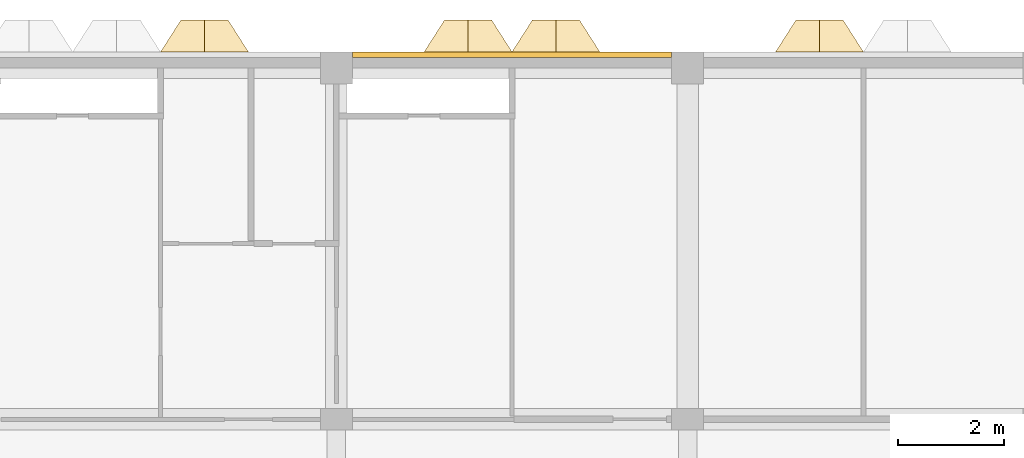
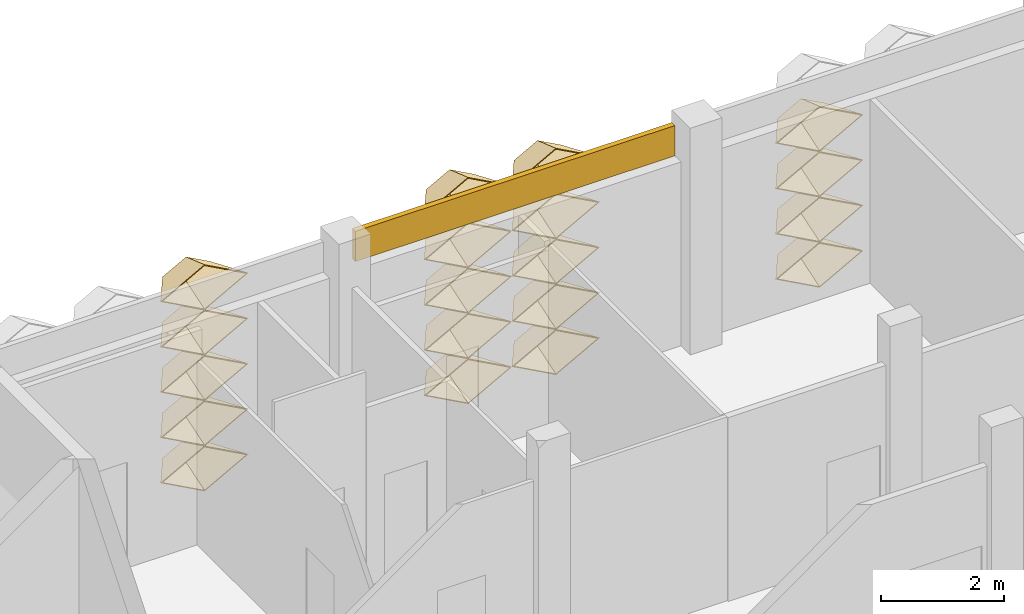
# One storey, part 93 of 102: 20 coverings.
"""IFC4 building model written with IfcOpenShell, lengths in metres."""

from ifc_helpers import new_model, entity, si_unit, direction, frame, frame_2d, origin, place, context, subcontext, project, spatial, rectangle, extrude, material, layer, layer_set, type_object, element, save


model = new_model("IFC4")

# Units and contexts
model_context = context("Model", 3, precision=1e-05, world=origin(), true_north=direction((0.0, 1.0)))
body_context = subcontext(model_context, "Body", "Model", "MODEL_VIEW")
ifc_project = project(units=[si_unit("LENGTHUNIT", "METRE"), si_unit("AREAUNIT", "SQUARE_METRE"), si_unit("VOLUMEUNIT", "CUBIC_METRE"), si_unit("PLANEANGLEUNIT", "RADIAN"), si_unit("MASSUNIT", "GRAM", prefix="KILO")], contexts=[model_context])

# Site, building, storey
site_placement = place(None, origin())
site = spatial("IfcSite", under=ifc_project, at=site_placement, CompositionType="ELEMENT")
building_placement = place(site_placement, origin())
building = spatial("IfcBuilding", under=site, at=building_placement, Name="Lantern Court Research Institute", CompositionType="ELEMENT")
storey_placement = place(building_placement, frame((0.0, 0.0, 9.89990234375)))
storey = spatial("IfcBuildingStorey", under=building, at=storey_placement, Name="L02", CompositionType="ELEMENT", Elevation=9.89990234375)

# Coverings
ifc_material_1 = material(Name="Aluminium composite panel with mineral wool insulation", Category="aluminium")
ifc_layer_1 = layer(ifc_material_1, 0.10009765625)
ifc_layer_set_1 = layer_set([ifc_layer_1], Name="Aluminium composite panel with mineral wool insulation")
covering_type_1 = type_object("IfcCoveringType", Name="Edge fascia panel 100 aluminium faced", PredefinedType="CLADDING", material=ifc_layer_set_1)
covering_1_placement = place(storey_placement, frame((13.5, 99.25, 3.650146484375), z_axis=(0.0, 0.0, 1.0), x_axis=(1.0, 0.0, 0.0)))
element("IfcCovering", 1, at=covering_1_placement, inside=storey, type_object=covering_type_1, Name="Edge fascia V6N L02 02", PredefinedType="CLADDING", context=body_context, shape_type="SweptSolid", body=[
    extrude(rectangle(XDim=6.0, YDim=0.10009765625, at=frame_2d((3.0, 0.0))), origin(), (0.0, 0.0, 1.0), 0.599853515625),
])
ifc_material_2 = material(Name="Anodised aluminium", Category="aluminium")
ifc_layer_2 = layer(ifc_material_2, 0.01611328125)
ifc_layer_set_2 = layer_set([ifc_layer_2], Name="Anodised aluminium")
covering_type_2 = type_object("IfcCoveringType", Name="Fin cassette 1650 x 900 x 600 aluminium", PredefinedType="CLADDING", material=ifc_layer_set_2)
covering_2_placement = place(storey_placement, frame((10.72509765625, 99.300048828125, 0.4501953125), z_axis=(0.0, 1.0, 0.0), x_axis=(-1.0, 0.0, 0.0)))
cartesian_point_1 = entity("IfcCartesianPoint", [0.824951171875, 0.0])
cartesian_point_2 = entity("IfcCartesianPoint", [0.79150390625, 0.0])
cartesian_point_3 = entity("IfcCartesianPoint", [0.44189453125, 0.0])
cartesian_point_4 = entity("IfcCartesianPoint", [0.43359375, 0.0])
element("IfcCovering", 2, at=covering_2_placement, inside=storey, type_object=covering_type_2, Name="Fin cassette V6N-L02 1.7", PredefinedType="CLADDING", context=body_context, shape_type="SweptSolid", body=[
    entity("IfcExtrudedAreaSolidTapered", entity("IfcArbitraryProfileDefWithVoids", "AREA", None, entity("IfcPolyline", [cartesian_point_1, entity("IfcCartesianPoint", [0.0, 0.449951171875]), entity("IfcCartesianPoint", [-0.824951171875, 0.0]), entity("IfcCartesianPoint", [0.0, -0.449951171875]), cartesian_point_1]), [entity("IfcPolyline", [cartesian_point_2, entity("IfcCartesianPoint", [0.0, 0.431884765625]), entity("IfcCartesianPoint", [-0.79150390625, 0.0]), entity("IfcCartesianPoint", [0.0, -0.431884765625]), cartesian_point_2])]), entity("IfcAxis2Placement3D", entity("IfcCartesianPoint", [0.0, 0.0, 0.0])), entity("IfcDirection", [0.0, 0.0, 1.0]), 0.60009765625, entity("IfcArbitraryProfileDefWithVoids", "AREA", None, entity("IfcPolyline", [cartesian_point_3, entity("IfcCartesianPoint", [0.0, 0.240966796875]), entity("IfcCartesianPoint", [-0.44189453125, 0.0]), entity("IfcCartesianPoint", [0.0, -0.240966796875]), cartesian_point_3]), [entity("IfcPolyline", [cartesian_point_4, entity("IfcCartesianPoint", [0.0, 0.236572265625]), entity("IfcCartesianPoint", [-0.43359375, 0.0]), entity("IfcCartesianPoint", [0.0, -0.236572265625]), cartesian_point_4])])),
])
covering_3_placement = place(storey_placement, frame((15.675048828125, 99.300048828125, 0.4501953125), z_axis=(0.0, 1.0, 0.0), x_axis=(-1.0, 0.0, 0.0)))
cartesian_point_5 = entity("IfcCartesianPoint", [0.824951171875, 0.0])
cartesian_point_6 = entity("IfcCartesianPoint", [0.79150390625, 0.0])
cartesian_point_7 = entity("IfcCartesianPoint", [0.44189453125, 0.0])
cartesian_point_8 = entity("IfcCartesianPoint", [0.43359375, 0.0])
element("IfcCovering", 3, at=covering_3_placement, inside=storey, type_object=covering_type_2, Name="Fin cassette V6N-L02 1.10", PredefinedType="CLADDING", context=body_context, shape_type="SweptSolid", body=[
    entity("IfcExtrudedAreaSolidTapered", entity("IfcArbitraryProfileDefWithVoids", "AREA", None, entity("IfcPolyline", [cartesian_point_5, entity("IfcCartesianPoint", [0.0, 0.449951171875]), entity("IfcCartesianPoint", [-0.824951171875, 0.0]), entity("IfcCartesianPoint", [0.0, -0.449951171875]), cartesian_point_5]), [entity("IfcPolyline", [cartesian_point_6, entity("IfcCartesianPoint", [0.0, 0.431884765625]), entity("IfcCartesianPoint", [-0.79150390625, 0.0]), entity("IfcCartesianPoint", [0.0, -0.431884765625]), cartesian_point_6])]), entity("IfcAxis2Placement3D", entity("IfcCartesianPoint", [0.0, 0.0, 0.0])), entity("IfcDirection", [0.0, 0.0, 1.0]), 0.60009765625, entity("IfcArbitraryProfileDefWithVoids", "AREA", None, entity("IfcPolyline", [cartesian_point_7, entity("IfcCartesianPoint", [0.0, 0.240966796875]), entity("IfcCartesianPoint", [-0.44189453125, 0.0]), entity("IfcCartesianPoint", [0.0, -0.240966796875]), cartesian_point_7]), [entity("IfcPolyline", [cartesian_point_8, entity("IfcCartesianPoint", [0.0, 0.236572265625]), entity("IfcCartesianPoint", [-0.43359375, 0.0]), entity("IfcCartesianPoint", [0.0, -0.236572265625]), cartesian_point_8])])),
])
covering_4_placement = place(storey_placement, frame((17.324951171875, 99.300048828125, 0.4501953125), z_axis=(0.0, 1.0, 0.0), x_axis=(-1.0, 0.0, 0.0)))
cartesian_point_9 = entity("IfcCartesianPoint", [0.824951171875, 0.0])
cartesian_point_10 = entity("IfcCartesianPoint", [0.79150390625, 0.0])
cartesian_point_11 = entity("IfcCartesianPoint", [0.44189453125, 0.0])
cartesian_point_12 = entity("IfcCartesianPoint", [0.43359375, 0.0])
element("IfcCovering", 4, at=covering_4_placement, inside=storey, type_object=covering_type_2, Name="Fin cassette V6N-L02 1.11", PredefinedType="CLADDING", context=body_context, shape_type="SweptSolid", body=[
    entity("IfcExtrudedAreaSolidTapered", entity("IfcArbitraryProfileDefWithVoids", "AREA", None, entity("IfcPolyline", [cartesian_point_9, entity("IfcCartesianPoint", [0.0, 0.449951171875]), entity("IfcCartesianPoint", [-0.824951171875, 0.0]), entity("IfcCartesianPoint", [0.0, -0.449951171875]), cartesian_point_9]), [entity("IfcPolyline", [cartesian_point_10, entity("IfcCartesianPoint", [0.0, 0.431884765625]), entity("IfcCartesianPoint", [-0.79150390625, 0.0]), entity("IfcCartesianPoint", [0.0, -0.431884765625]), cartesian_point_10])]), entity("IfcAxis2Placement3D", entity("IfcCartesianPoint", [0.0, 0.0, 0.0])), entity("IfcDirection", [0.0, 0.0, 1.0]), 0.60009765625, entity("IfcArbitraryProfileDefWithVoids", "AREA", None, entity("IfcPolyline", [cartesian_point_11, entity("IfcCartesianPoint", [0.0, 0.240966796875]), entity("IfcCartesianPoint", [-0.44189453125, 0.0]), entity("IfcCartesianPoint", [0.0, -0.240966796875]), cartesian_point_11]), [entity("IfcPolyline", [cartesian_point_12, entity("IfcCartesianPoint", [0.0, 0.236572265625]), entity("IfcCartesianPoint", [-0.43359375, 0.0]), entity("IfcCartesianPoint", [0.0, -0.236572265625]), cartesian_point_12])])),
])
covering_5_placement = place(storey_placement, frame((22.27490234375, 99.300048828125, 0.4501953125), z_axis=(0.0, 1.0, 0.0), x_axis=(-1.0, 0.0, 0.0)))
cartesian_point_13 = entity("IfcCartesianPoint", [0.824951171875, 0.0])
cartesian_point_14 = entity("IfcCartesianPoint", [0.79150390625, 0.0])
cartesian_point_15 = entity("IfcCartesianPoint", [0.44189453125, 0.0])
cartesian_point_16 = entity("IfcCartesianPoint", [0.43359375, 0.0])
element("IfcCovering", 5, at=covering_5_placement, inside=storey, type_object=covering_type_2, Name="Fin cassette V6N-L02 1.14", PredefinedType="CLADDING", context=body_context, shape_type="SweptSolid", body=[
    entity("IfcExtrudedAreaSolidTapered", entity("IfcArbitraryProfileDefWithVoids", "AREA", None, entity("IfcPolyline", [cartesian_point_13, entity("IfcCartesianPoint", [0.0, 0.449951171875]), entity("IfcCartesianPoint", [-0.824951171875, 0.0]), entity("IfcCartesianPoint", [0.0, -0.449951171875]), cartesian_point_13]), [entity("IfcPolyline", [cartesian_point_14, entity("IfcCartesianPoint", [0.0, 0.431884765625]), entity("IfcCartesianPoint", [-0.79150390625, 0.0]), entity("IfcCartesianPoint", [0.0, -0.431884765625]), cartesian_point_14])]), entity("IfcAxis2Placement3D", entity("IfcCartesianPoint", [0.0, 0.0, 0.0])), entity("IfcDirection", [0.0, 0.0, 1.0]), 0.60009765625, entity("IfcArbitraryProfileDefWithVoids", "AREA", None, entity("IfcPolyline", [cartesian_point_15, entity("IfcCartesianPoint", [0.0, 0.240966796875]), entity("IfcCartesianPoint", [-0.44189453125, 0.0]), entity("IfcCartesianPoint", [0.0, -0.240966796875]), cartesian_point_15]), [entity("IfcPolyline", [cartesian_point_16, entity("IfcCartesianPoint", [0.0, 0.236572265625]), entity("IfcCartesianPoint", [-0.43359375, 0.0]), entity("IfcCartesianPoint", [0.0, -0.236572265625]), cartesian_point_16])])),
])
covering_6_placement = place(storey_placement, frame((10.72509765625, 99.300048828125, 1.35009765625), z_axis=(0.0, 1.0, 0.0), x_axis=(-1.0, 0.0, 0.0)))
cartesian_point_17 = entity("IfcCartesianPoint", [0.824951171875, 0.0])
cartesian_point_18 = entity("IfcCartesianPoint", [0.79150390625, 0.0])
cartesian_point_19 = entity("IfcCartesianPoint", [0.44189453125, 0.0])
cartesian_point_20 = entity("IfcCartesianPoint", [0.43359375, 0.0])
element("IfcCovering", 6, at=covering_6_placement, inside=storey, type_object=covering_type_2, Name="Fin cassette V6N-L02 2.7", PredefinedType="CLADDING", context=body_context, shape_type="SweptSolid", body=[
    entity("IfcExtrudedAreaSolidTapered", entity("IfcArbitraryProfileDefWithVoids", "AREA", None, entity("IfcPolyline", [cartesian_point_17, entity("IfcCartesianPoint", [0.0, 0.449951171875]), entity("IfcCartesianPoint", [-0.824951171875, 0.0]), entity("IfcCartesianPoint", [0.0, -0.449951171875]), cartesian_point_17]), [entity("IfcPolyline", [cartesian_point_18, entity("IfcCartesianPoint", [0.0, 0.431884765625]), entity("IfcCartesianPoint", [-0.79150390625, 0.0]), entity("IfcCartesianPoint", [0.0, -0.431884765625]), cartesian_point_18])]), entity("IfcAxis2Placement3D", entity("IfcCartesianPoint", [0.0, 0.0, 0.0])), entity("IfcDirection", [0.0, 0.0, 1.0]), 0.60009765625, entity("IfcArbitraryProfileDefWithVoids", "AREA", None, entity("IfcPolyline", [cartesian_point_19, entity("IfcCartesianPoint", [0.0, 0.240966796875]), entity("IfcCartesianPoint", [-0.44189453125, 0.0]), entity("IfcCartesianPoint", [0.0, -0.240966796875]), cartesian_point_19]), [entity("IfcPolyline", [cartesian_point_20, entity("IfcCartesianPoint", [0.0, 0.236572265625]), entity("IfcCartesianPoint", [-0.43359375, 0.0]), entity("IfcCartesianPoint", [0.0, -0.236572265625]), cartesian_point_20])])),
])
covering_7_placement = place(storey_placement, frame((15.675048828125, 99.300048828125, 1.35009765625), z_axis=(0.0, 1.0, 0.0), x_axis=(-1.0, 0.0, 0.0)))
cartesian_point_21 = entity("IfcCartesianPoint", [0.824951171875, 0.0])
cartesian_point_22 = entity("IfcCartesianPoint", [0.79150390625, 0.0])
cartesian_point_23 = entity("IfcCartesianPoint", [0.44189453125, 0.0])
cartesian_point_24 = entity("IfcCartesianPoint", [0.43359375, 0.0])
element("IfcCovering", 7, at=covering_7_placement, inside=storey, type_object=covering_type_2, Name="Fin cassette V6N-L02 2.10", PredefinedType="CLADDING", context=body_context, shape_type="SweptSolid", body=[
    entity("IfcExtrudedAreaSolidTapered", entity("IfcArbitraryProfileDefWithVoids", "AREA", None, entity("IfcPolyline", [cartesian_point_21, entity("IfcCartesianPoint", [0.0, 0.449951171875]), entity("IfcCartesianPoint", [-0.824951171875, 0.0]), entity("IfcCartesianPoint", [0.0, -0.449951171875]), cartesian_point_21]), [entity("IfcPolyline", [cartesian_point_22, entity("IfcCartesianPoint", [0.0, 0.431884765625]), entity("IfcCartesianPoint", [-0.79150390625, 0.0]), entity("IfcCartesianPoint", [0.0, -0.431884765625]), cartesian_point_22])]), entity("IfcAxis2Placement3D", entity("IfcCartesianPoint", [0.0, 0.0, 0.0])), entity("IfcDirection", [0.0, 0.0, 1.0]), 0.60009765625, entity("IfcArbitraryProfileDefWithVoids", "AREA", None, entity("IfcPolyline", [cartesian_point_23, entity("IfcCartesianPoint", [0.0, 0.240966796875]), entity("IfcCartesianPoint", [-0.44189453125, 0.0]), entity("IfcCartesianPoint", [0.0, -0.240966796875]), cartesian_point_23]), [entity("IfcPolyline", [cartesian_point_24, entity("IfcCartesianPoint", [0.0, 0.236572265625]), entity("IfcCartesianPoint", [-0.43359375, 0.0]), entity("IfcCartesianPoint", [0.0, -0.236572265625]), cartesian_point_24])])),
])
covering_8_placement = place(storey_placement, frame((17.324951171875, 99.300048828125, 1.35009765625), z_axis=(0.0, 1.0, 0.0), x_axis=(-1.0, 0.0, 0.0)))
cartesian_point_25 = entity("IfcCartesianPoint", [0.824951171875, 0.0])
cartesian_point_26 = entity("IfcCartesianPoint", [0.79150390625, 0.0])
cartesian_point_27 = entity("IfcCartesianPoint", [0.44189453125, 0.0])
cartesian_point_28 = entity("IfcCartesianPoint", [0.43359375, 0.0])
element("IfcCovering", 8, at=covering_8_placement, inside=storey, type_object=covering_type_2, Name="Fin cassette V6N-L02 2.11", PredefinedType="CLADDING", context=body_context, shape_type="SweptSolid", body=[
    entity("IfcExtrudedAreaSolidTapered", entity("IfcArbitraryProfileDefWithVoids", "AREA", None, entity("IfcPolyline", [cartesian_point_25, entity("IfcCartesianPoint", [0.0, 0.449951171875]), entity("IfcCartesianPoint", [-0.824951171875, 0.0]), entity("IfcCartesianPoint", [0.0, -0.449951171875]), cartesian_point_25]), [entity("IfcPolyline", [cartesian_point_26, entity("IfcCartesianPoint", [0.0, 0.431884765625]), entity("IfcCartesianPoint", [-0.79150390625, 0.0]), entity("IfcCartesianPoint", [0.0, -0.431884765625]), cartesian_point_26])]), entity("IfcAxis2Placement3D", entity("IfcCartesianPoint", [0.0, 0.0, 0.0])), entity("IfcDirection", [0.0, 0.0, 1.0]), 0.60009765625, entity("IfcArbitraryProfileDefWithVoids", "AREA", None, entity("IfcPolyline", [cartesian_point_27, entity("IfcCartesianPoint", [0.0, 0.240966796875]), entity("IfcCartesianPoint", [-0.44189453125, 0.0]), entity("IfcCartesianPoint", [0.0, -0.240966796875]), cartesian_point_27]), [entity("IfcPolyline", [cartesian_point_28, entity("IfcCartesianPoint", [0.0, 0.236572265625]), entity("IfcCartesianPoint", [-0.43359375, 0.0]), entity("IfcCartesianPoint", [0.0, -0.236572265625]), cartesian_point_28])])),
])
covering_9_placement = place(storey_placement, frame((22.27490234375, 99.300048828125, 1.35009765625), z_axis=(0.0, 1.0, 0.0), x_axis=(-1.0, 0.0, 0.0)))
cartesian_point_29 = entity("IfcCartesianPoint", [0.824951171875, 0.0])
cartesian_point_30 = entity("IfcCartesianPoint", [0.79150390625, 0.0])
cartesian_point_31 = entity("IfcCartesianPoint", [0.44189453125, 0.0])
cartesian_point_32 = entity("IfcCartesianPoint", [0.43359375, 0.0])
element("IfcCovering", 9, at=covering_9_placement, inside=storey, type_object=covering_type_2, Name="Fin cassette V6N-L02 2.14", PredefinedType="CLADDING", context=body_context, shape_type="SweptSolid", body=[
    entity("IfcExtrudedAreaSolidTapered", entity("IfcArbitraryProfileDefWithVoids", "AREA", None, entity("IfcPolyline", [cartesian_point_29, entity("IfcCartesianPoint", [0.0, 0.449951171875]), entity("IfcCartesianPoint", [-0.824951171875, 0.0]), entity("IfcCartesianPoint", [0.0, -0.449951171875]), cartesian_point_29]), [entity("IfcPolyline", [cartesian_point_30, entity("IfcCartesianPoint", [0.0, 0.431884765625]), entity("IfcCartesianPoint", [-0.79150390625, 0.0]), entity("IfcCartesianPoint", [0.0, -0.431884765625]), cartesian_point_30])]), entity("IfcAxis2Placement3D", entity("IfcCartesianPoint", [0.0, 0.0, 0.0])), entity("IfcDirection", [0.0, 0.0, 1.0]), 0.60009765625, entity("IfcArbitraryProfileDefWithVoids", "AREA", None, entity("IfcPolyline", [cartesian_point_31, entity("IfcCartesianPoint", [0.0, 0.240966796875]), entity("IfcCartesianPoint", [-0.44189453125, 0.0]), entity("IfcCartesianPoint", [0.0, -0.240966796875]), cartesian_point_31]), [entity("IfcPolyline", [cartesian_point_32, entity("IfcCartesianPoint", [0.0, 0.236572265625]), entity("IfcCartesianPoint", [-0.43359375, 0.0]), entity("IfcCartesianPoint", [0.0, -0.236572265625]), cartesian_point_32])])),
])
covering_10_placement = place(storey_placement, frame((10.72509765625, 99.300048828125, 2.25), z_axis=(0.0, 1.0, 0.0), x_axis=(-1.0, 0.0, 0.0)))
cartesian_point_33 = entity("IfcCartesianPoint", [0.824951171875, 0.0])
cartesian_point_34 = entity("IfcCartesianPoint", [0.79150390625, 0.0])
cartesian_point_35 = entity("IfcCartesianPoint", [0.44189453125, 0.0])
cartesian_point_36 = entity("IfcCartesianPoint", [0.43359375, 0.0])
element("IfcCovering", 10, at=covering_10_placement, inside=storey, type_object=covering_type_2, Name="Fin cassette V6N-L02 3.7", PredefinedType="CLADDING", context=body_context, shape_type="SweptSolid", body=[
    entity("IfcExtrudedAreaSolidTapered", entity("IfcArbitraryProfileDefWithVoids", "AREA", None, entity("IfcPolyline", [cartesian_point_33, entity("IfcCartesianPoint", [0.0, 0.449951171875]), entity("IfcCartesianPoint", [-0.824951171875, 0.0]), entity("IfcCartesianPoint", [0.0, -0.449951171875]), cartesian_point_33]), [entity("IfcPolyline", [cartesian_point_34, entity("IfcCartesianPoint", [0.0, 0.431884765625]), entity("IfcCartesianPoint", [-0.79150390625, 0.0]), entity("IfcCartesianPoint", [0.0, -0.431884765625]), cartesian_point_34])]), entity("IfcAxis2Placement3D", entity("IfcCartesianPoint", [0.0, 0.0, 0.0])), entity("IfcDirection", [0.0, 0.0, 1.0]), 0.60009765625, entity("IfcArbitraryProfileDefWithVoids", "AREA", None, entity("IfcPolyline", [cartesian_point_35, entity("IfcCartesianPoint", [0.0, 0.240966796875]), entity("IfcCartesianPoint", [-0.44189453125, 0.0]), entity("IfcCartesianPoint", [0.0, -0.240966796875]), cartesian_point_35]), [entity("IfcPolyline", [cartesian_point_36, entity("IfcCartesianPoint", [0.0, 0.236572265625]), entity("IfcCartesianPoint", [-0.43359375, 0.0]), entity("IfcCartesianPoint", [0.0, -0.236572265625]), cartesian_point_36])])),
])
covering_11_placement = place(storey_placement, frame((15.675048828125, 99.300048828125, 2.25), z_axis=(0.0, 1.0, 0.0), x_axis=(-1.0, 0.0, 0.0)))
cartesian_point_37 = entity("IfcCartesianPoint", [0.824951171875, 0.0])
cartesian_point_38 = entity("IfcCartesianPoint", [0.79150390625, 0.0])
cartesian_point_39 = entity("IfcCartesianPoint", [0.44189453125, 0.0])
cartesian_point_40 = entity("IfcCartesianPoint", [0.43359375, 0.0])
element("IfcCovering", 11, at=covering_11_placement, inside=storey, type_object=covering_type_2, Name="Fin cassette V6N-L02 3.10", PredefinedType="CLADDING", context=body_context, shape_type="SweptSolid", body=[
    entity("IfcExtrudedAreaSolidTapered", entity("IfcArbitraryProfileDefWithVoids", "AREA", None, entity("IfcPolyline", [cartesian_point_37, entity("IfcCartesianPoint", [0.0, 0.449951171875]), entity("IfcCartesianPoint", [-0.824951171875, 0.0]), entity("IfcCartesianPoint", [0.0, -0.449951171875]), cartesian_point_37]), [entity("IfcPolyline", [cartesian_point_38, entity("IfcCartesianPoint", [0.0, 0.431884765625]), entity("IfcCartesianPoint", [-0.79150390625, 0.0]), entity("IfcCartesianPoint", [0.0, -0.431884765625]), cartesian_point_38])]), entity("IfcAxis2Placement3D", entity("IfcCartesianPoint", [0.0, 0.0, 0.0])), entity("IfcDirection", [0.0, 0.0, 1.0]), 0.60009765625, entity("IfcArbitraryProfileDefWithVoids", "AREA", None, entity("IfcPolyline", [cartesian_point_39, entity("IfcCartesianPoint", [0.0, 0.240966796875]), entity("IfcCartesianPoint", [-0.44189453125, 0.0]), entity("IfcCartesianPoint", [0.0, -0.240966796875]), cartesian_point_39]), [entity("IfcPolyline", [cartesian_point_40, entity("IfcCartesianPoint", [0.0, 0.236572265625]), entity("IfcCartesianPoint", [-0.43359375, 0.0]), entity("IfcCartesianPoint", [0.0, -0.236572265625]), cartesian_point_40])])),
])
covering_12_placement = place(storey_placement, frame((17.324951171875, 99.300048828125, 2.25), z_axis=(0.0, 1.0, 0.0), x_axis=(-1.0, 0.0, 0.0)))
cartesian_point_41 = entity("IfcCartesianPoint", [0.824951171875, 0.0])
cartesian_point_42 = entity("IfcCartesianPoint", [0.79150390625, 0.0])
cartesian_point_43 = entity("IfcCartesianPoint", [0.44189453125, 0.0])
cartesian_point_44 = entity("IfcCartesianPoint", [0.43359375, 0.0])
element("IfcCovering", 12, at=covering_12_placement, inside=storey, type_object=covering_type_2, Name="Fin cassette V6N-L02 3.11", PredefinedType="CLADDING", context=body_context, shape_type="SweptSolid", body=[
    entity("IfcExtrudedAreaSolidTapered", entity("IfcArbitraryProfileDefWithVoids", "AREA", None, entity("IfcPolyline", [cartesian_point_41, entity("IfcCartesianPoint", [0.0, 0.449951171875]), entity("IfcCartesianPoint", [-0.824951171875, 0.0]), entity("IfcCartesianPoint", [0.0, -0.449951171875]), cartesian_point_41]), [entity("IfcPolyline", [cartesian_point_42, entity("IfcCartesianPoint", [0.0, 0.431884765625]), entity("IfcCartesianPoint", [-0.79150390625, 0.0]), entity("IfcCartesianPoint", [0.0, -0.431884765625]), cartesian_point_42])]), entity("IfcAxis2Placement3D", entity("IfcCartesianPoint", [0.0, 0.0, 0.0])), entity("IfcDirection", [0.0, 0.0, 1.0]), 0.60009765625, entity("IfcArbitraryProfileDefWithVoids", "AREA", None, entity("IfcPolyline", [cartesian_point_43, entity("IfcCartesianPoint", [0.0, 0.240966796875]), entity("IfcCartesianPoint", [-0.44189453125, 0.0]), entity("IfcCartesianPoint", [0.0, -0.240966796875]), cartesian_point_43]), [entity("IfcPolyline", [cartesian_point_44, entity("IfcCartesianPoint", [0.0, 0.236572265625]), entity("IfcCartesianPoint", [-0.43359375, 0.0]), entity("IfcCartesianPoint", [0.0, -0.236572265625]), cartesian_point_44])])),
])
covering_13_placement = place(storey_placement, frame((22.27490234375, 99.300048828125, 2.25), z_axis=(0.0, 1.0, 0.0), x_axis=(-1.0, 0.0, 0.0)))
cartesian_point_45 = entity("IfcCartesianPoint", [0.824951171875, 0.0])
cartesian_point_46 = entity("IfcCartesianPoint", [0.79150390625, 0.0])
cartesian_point_47 = entity("IfcCartesianPoint", [0.44189453125, 0.0])
cartesian_point_48 = entity("IfcCartesianPoint", [0.43359375, 0.0])
element("IfcCovering", 13, at=covering_13_placement, inside=storey, type_object=covering_type_2, Name="Fin cassette V6N-L02 3.14", PredefinedType="CLADDING", context=body_context, shape_type="SweptSolid", body=[
    entity("IfcExtrudedAreaSolidTapered", entity("IfcArbitraryProfileDefWithVoids", "AREA", None, entity("IfcPolyline", [cartesian_point_45, entity("IfcCartesianPoint", [0.0, 0.449951171875]), entity("IfcCartesianPoint", [-0.824951171875, 0.0]), entity("IfcCartesianPoint", [0.0, -0.449951171875]), cartesian_point_45]), [entity("IfcPolyline", [cartesian_point_46, entity("IfcCartesianPoint", [0.0, 0.431884765625]), entity("IfcCartesianPoint", [-0.79150390625, 0.0]), entity("IfcCartesianPoint", [0.0, -0.431884765625]), cartesian_point_46])]), entity("IfcAxis2Placement3D", entity("IfcCartesianPoint", [0.0, 0.0, 0.0])), entity("IfcDirection", [0.0, 0.0, 1.0]), 0.60009765625, entity("IfcArbitraryProfileDefWithVoids", "AREA", None, entity("IfcPolyline", [cartesian_point_47, entity("IfcCartesianPoint", [0.0, 0.240966796875]), entity("IfcCartesianPoint", [-0.44189453125, 0.0]), entity("IfcCartesianPoint", [0.0, -0.240966796875]), cartesian_point_47]), [entity("IfcPolyline", [cartesian_point_48, entity("IfcCartesianPoint", [0.0, 0.236572265625]), entity("IfcCartesianPoint", [-0.43359375, 0.0]), entity("IfcCartesianPoint", [0.0, -0.236572265625]), cartesian_point_48])])),
])
covering_14_placement = place(storey_placement, frame((10.72509765625, 99.300048828125, 3.150146484375), z_axis=(0.0, 1.0, 0.0), x_axis=(-1.0, 0.0, 0.0)))
cartesian_point_49 = entity("IfcCartesianPoint", [0.824951171875, 0.0])
cartesian_point_50 = entity("IfcCartesianPoint", [0.79150390625, 0.0])
cartesian_point_51 = entity("IfcCartesianPoint", [0.44189453125, 0.0])
cartesian_point_52 = entity("IfcCartesianPoint", [0.43359375, 0.0])
element("IfcCovering", 14, at=covering_14_placement, inside=storey, type_object=covering_type_2, Name="Fin cassette V6N-L02 4.7", PredefinedType="CLADDING", context=body_context, shape_type="SweptSolid", body=[
    entity("IfcExtrudedAreaSolidTapered", entity("IfcArbitraryProfileDefWithVoids", "AREA", None, entity("IfcPolyline", [cartesian_point_49, entity("IfcCartesianPoint", [0.0, 0.449951171875]), entity("IfcCartesianPoint", [-0.824951171875, 0.0]), entity("IfcCartesianPoint", [0.0, -0.449951171875]), cartesian_point_49]), [entity("IfcPolyline", [cartesian_point_50, entity("IfcCartesianPoint", [0.0, 0.431884765625]), entity("IfcCartesianPoint", [-0.79150390625, 0.0]), entity("IfcCartesianPoint", [0.0, -0.431884765625]), cartesian_point_50])]), entity("IfcAxis2Placement3D", entity("IfcCartesianPoint", [0.0, 0.0, 0.0])), entity("IfcDirection", [0.0, 0.0, 1.0]), 0.60009765625, entity("IfcArbitraryProfileDefWithVoids", "AREA", None, entity("IfcPolyline", [cartesian_point_51, entity("IfcCartesianPoint", [0.0, 0.240966796875]), entity("IfcCartesianPoint", [-0.44189453125, 0.0]), entity("IfcCartesianPoint", [0.0, -0.240966796875]), cartesian_point_51]), [entity("IfcPolyline", [cartesian_point_52, entity("IfcCartesianPoint", [0.0, 0.236572265625]), entity("IfcCartesianPoint", [-0.43359375, 0.0]), entity("IfcCartesianPoint", [0.0, -0.236572265625]), cartesian_point_52])])),
])
covering_15_placement = place(storey_placement, frame((15.675048828125, 99.300048828125, 3.150146484375), z_axis=(0.0, 1.0, 0.0), x_axis=(-1.0, 0.0, 0.0)))
cartesian_point_53 = entity("IfcCartesianPoint", [0.824951171875, 0.0])
cartesian_point_54 = entity("IfcCartesianPoint", [0.79150390625, 0.0])
cartesian_point_55 = entity("IfcCartesianPoint", [0.44189453125, 0.0])
cartesian_point_56 = entity("IfcCartesianPoint", [0.43359375, 0.0])
element("IfcCovering", 15, at=covering_15_placement, inside=storey, type_object=covering_type_2, Name="Fin cassette V6N-L02 4.10", PredefinedType="CLADDING", context=body_context, shape_type="SweptSolid", body=[
    entity("IfcExtrudedAreaSolidTapered", entity("IfcArbitraryProfileDefWithVoids", "AREA", None, entity("IfcPolyline", [cartesian_point_53, entity("IfcCartesianPoint", [0.0, 0.449951171875]), entity("IfcCartesianPoint", [-0.824951171875, 0.0]), entity("IfcCartesianPoint", [0.0, -0.449951171875]), cartesian_point_53]), [entity("IfcPolyline", [cartesian_point_54, entity("IfcCartesianPoint", [0.0, 0.431884765625]), entity("IfcCartesianPoint", [-0.79150390625, 0.0]), entity("IfcCartesianPoint", [0.0, -0.431884765625]), cartesian_point_54])]), entity("IfcAxis2Placement3D", entity("IfcCartesianPoint", [0.0, 0.0, 0.0])), entity("IfcDirection", [0.0, 0.0, 1.0]), 0.60009765625, entity("IfcArbitraryProfileDefWithVoids", "AREA", None, entity("IfcPolyline", [cartesian_point_55, entity("IfcCartesianPoint", [0.0, 0.240966796875]), entity("IfcCartesianPoint", [-0.44189453125, 0.0]), entity("IfcCartesianPoint", [0.0, -0.240966796875]), cartesian_point_55]), [entity("IfcPolyline", [cartesian_point_56, entity("IfcCartesianPoint", [0.0, 0.236572265625]), entity("IfcCartesianPoint", [-0.43359375, 0.0]), entity("IfcCartesianPoint", [0.0, -0.236572265625]), cartesian_point_56])])),
])
covering_16_placement = place(storey_placement, frame((17.324951171875, 99.300048828125, 3.150146484375), z_axis=(0.0, 1.0, 0.0), x_axis=(-1.0, 0.0, 0.0)))
cartesian_point_57 = entity("IfcCartesianPoint", [0.824951171875, 0.0])
cartesian_point_58 = entity("IfcCartesianPoint", [0.79150390625, 0.0])
cartesian_point_59 = entity("IfcCartesianPoint", [0.44189453125, 0.0])
cartesian_point_60 = entity("IfcCartesianPoint", [0.43359375, 0.0])
element("IfcCovering", 16, at=covering_16_placement, inside=storey, type_object=covering_type_2, Name="Fin cassette V6N-L02 4.11", PredefinedType="CLADDING", context=body_context, shape_type="SweptSolid", body=[
    entity("IfcExtrudedAreaSolidTapered", entity("IfcArbitraryProfileDefWithVoids", "AREA", None, entity("IfcPolyline", [cartesian_point_57, entity("IfcCartesianPoint", [0.0, 0.449951171875]), entity("IfcCartesianPoint", [-0.824951171875, 0.0]), entity("IfcCartesianPoint", [0.0, -0.449951171875]), cartesian_point_57]), [entity("IfcPolyline", [cartesian_point_58, entity("IfcCartesianPoint", [0.0, 0.431884765625]), entity("IfcCartesianPoint", [-0.79150390625, 0.0]), entity("IfcCartesianPoint", [0.0, -0.431884765625]), cartesian_point_58])]), entity("IfcAxis2Placement3D", entity("IfcCartesianPoint", [0.0, 0.0, 0.0])), entity("IfcDirection", [0.0, 0.0, 1.0]), 0.60009765625, entity("IfcArbitraryProfileDefWithVoids", "AREA", None, entity("IfcPolyline", [cartesian_point_59, entity("IfcCartesianPoint", [0.0, 0.240966796875]), entity("IfcCartesianPoint", [-0.44189453125, 0.0]), entity("IfcCartesianPoint", [0.0, -0.240966796875]), cartesian_point_59]), [entity("IfcPolyline", [cartesian_point_60, entity("IfcCartesianPoint", [0.0, 0.236572265625]), entity("IfcCartesianPoint", [-0.43359375, 0.0]), entity("IfcCartesianPoint", [0.0, -0.236572265625]), cartesian_point_60])])),
])
covering_17_placement = place(storey_placement, frame((22.27490234375, 99.300048828125, 3.150146484375), z_axis=(0.0, 1.0, 0.0), x_axis=(-1.0, 0.0, 0.0)))
cartesian_point_61 = entity("IfcCartesianPoint", [0.824951171875, 0.0])
cartesian_point_62 = entity("IfcCartesianPoint", [0.79150390625, 0.0])
cartesian_point_63 = entity("IfcCartesianPoint", [0.44189453125, 0.0])
cartesian_point_64 = entity("IfcCartesianPoint", [0.43359375, 0.0])
element("IfcCovering", 17, at=covering_17_placement, inside=storey, type_object=covering_type_2, Name="Fin cassette V6N-L02 4.14", PredefinedType="CLADDING", context=body_context, shape_type="SweptSolid", body=[
    entity("IfcExtrudedAreaSolidTapered", entity("IfcArbitraryProfileDefWithVoids", "AREA", None, entity("IfcPolyline", [cartesian_point_61, entity("IfcCartesianPoint", [0.0, 0.449951171875]), entity("IfcCartesianPoint", [-0.824951171875, 0.0]), entity("IfcCartesianPoint", [0.0, -0.449951171875]), cartesian_point_61]), [entity("IfcPolyline", [cartesian_point_62, entity("IfcCartesianPoint", [0.0, 0.431884765625]), entity("IfcCartesianPoint", [-0.79150390625, 0.0]), entity("IfcCartesianPoint", [0.0, -0.431884765625]), cartesian_point_62])]), entity("IfcAxis2Placement3D", entity("IfcCartesianPoint", [0.0, 0.0, 0.0])), entity("IfcDirection", [0.0, 0.0, 1.0]), 0.60009765625, entity("IfcArbitraryProfileDefWithVoids", "AREA", None, entity("IfcPolyline", [cartesian_point_63, entity("IfcCartesianPoint", [0.0, 0.240966796875]), entity("IfcCartesianPoint", [-0.44189453125, 0.0]), entity("IfcCartesianPoint", [0.0, -0.240966796875]), cartesian_point_63]), [entity("IfcPolyline", [cartesian_point_64, entity("IfcCartesianPoint", [0.0, 0.236572265625]), entity("IfcCartesianPoint", [-0.43359375, 0.0]), entity("IfcCartesianPoint", [0.0, -0.236572265625]), cartesian_point_64])])),
])
covering_18_placement = place(storey_placement, frame((10.72509765625, 99.300048828125, 4.050048828125), z_axis=(0.0, 1.0, 0.0), x_axis=(-1.0, 0.0, 0.0)))
cartesian_point_65 = entity("IfcCartesianPoint", [0.824951171875, 0.0])
cartesian_point_66 = entity("IfcCartesianPoint", [0.79150390625, 0.0])
cartesian_point_67 = entity("IfcCartesianPoint", [0.44189453125, 0.0])
cartesian_point_68 = entity("IfcCartesianPoint", [0.43359375, 0.0])
element("IfcCovering", 18, at=covering_18_placement, inside=storey, type_object=covering_type_2, Name="Fin cassette V6N-L02 5.7", PredefinedType="CLADDING", context=body_context, shape_type="SweptSolid", body=[
    entity("IfcExtrudedAreaSolidTapered", entity("IfcArbitraryProfileDefWithVoids", "AREA", None, entity("IfcPolyline", [cartesian_point_65, entity("IfcCartesianPoint", [0.0, 0.449951171875]), entity("IfcCartesianPoint", [-0.824951171875, 0.0]), entity("IfcCartesianPoint", [0.0, -0.449951171875]), cartesian_point_65]), [entity("IfcPolyline", [cartesian_point_66, entity("IfcCartesianPoint", [0.0, 0.431884765625]), entity("IfcCartesianPoint", [-0.79150390625, 0.0]), entity("IfcCartesianPoint", [0.0, -0.431884765625]), cartesian_point_66])]), entity("IfcAxis2Placement3D", entity("IfcCartesianPoint", [0.0, 0.0, 0.0])), entity("IfcDirection", [0.0, 0.0, 1.0]), 0.60009765625, entity("IfcArbitraryProfileDefWithVoids", "AREA", None, entity("IfcPolyline", [cartesian_point_67, entity("IfcCartesianPoint", [0.0, 0.240966796875]), entity("IfcCartesianPoint", [-0.44189453125, 0.0]), entity("IfcCartesianPoint", [0.0, -0.240966796875]), cartesian_point_67]), [entity("IfcPolyline", [cartesian_point_68, entity("IfcCartesianPoint", [0.0, 0.236572265625]), entity("IfcCartesianPoint", [-0.43359375, 0.0]), entity("IfcCartesianPoint", [0.0, -0.236572265625]), cartesian_point_68])])),
])
covering_19_placement = place(storey_placement, frame((15.675048828125, 99.300048828125, 4.050048828125), z_axis=(0.0, 1.0, 0.0), x_axis=(-1.0, 0.0, 0.0)))
cartesian_point_69 = entity("IfcCartesianPoint", [0.824951171875, 0.0])
cartesian_point_70 = entity("IfcCartesianPoint", [0.79150390625, 0.0])
cartesian_point_71 = entity("IfcCartesianPoint", [0.44189453125, 0.0])
cartesian_point_72 = entity("IfcCartesianPoint", [0.43359375, 0.0])
element("IfcCovering", 19, at=covering_19_placement, inside=storey, type_object=covering_type_2, Name="Fin cassette V6N-L02 5.10", PredefinedType="CLADDING", context=body_context, shape_type="SweptSolid", body=[
    entity("IfcExtrudedAreaSolidTapered", entity("IfcArbitraryProfileDefWithVoids", "AREA", None, entity("IfcPolyline", [cartesian_point_69, entity("IfcCartesianPoint", [0.0, 0.449951171875]), entity("IfcCartesianPoint", [-0.824951171875, 0.0]), entity("IfcCartesianPoint", [0.0, -0.449951171875]), cartesian_point_69]), [entity("IfcPolyline", [cartesian_point_70, entity("IfcCartesianPoint", [0.0, 0.431884765625]), entity("IfcCartesianPoint", [-0.79150390625, 0.0]), entity("IfcCartesianPoint", [0.0, -0.431884765625]), cartesian_point_70])]), entity("IfcAxis2Placement3D", entity("IfcCartesianPoint", [0.0, 0.0, 0.0])), entity("IfcDirection", [0.0, 0.0, 1.0]), 0.60009765625, entity("IfcArbitraryProfileDefWithVoids", "AREA", None, entity("IfcPolyline", [cartesian_point_71, entity("IfcCartesianPoint", [0.0, 0.240966796875]), entity("IfcCartesianPoint", [-0.44189453125, 0.0]), entity("IfcCartesianPoint", [0.0, -0.240966796875]), cartesian_point_71]), [entity("IfcPolyline", [cartesian_point_72, entity("IfcCartesianPoint", [0.0, 0.236572265625]), entity("IfcCartesianPoint", [-0.43359375, 0.0]), entity("IfcCartesianPoint", [0.0, -0.236572265625]), cartesian_point_72])])),
])
covering_20_placement = place(storey_placement, frame((17.324951171875, 99.300048828125, 4.050048828125), z_axis=(0.0, 1.0, 0.0), x_axis=(-1.0, 0.0, 0.0)))
cartesian_point_73 = entity("IfcCartesianPoint", [0.824951171875, 0.0])
cartesian_point_74 = entity("IfcCartesianPoint", [0.79150390625, 0.0])
cartesian_point_75 = entity("IfcCartesianPoint", [0.44189453125, 0.0])
cartesian_point_76 = entity("IfcCartesianPoint", [0.43359375, 0.0])
element("IfcCovering", 20, at=covering_20_placement, inside=storey, type_object=covering_type_2, Name="Fin cassette V6N-L02 5.11", PredefinedType="CLADDING", context=body_context, shape_type="SweptSolid", body=[
    entity("IfcExtrudedAreaSolidTapered", entity("IfcArbitraryProfileDefWithVoids", "AREA", None, entity("IfcPolyline", [cartesian_point_73, entity("IfcCartesianPoint", [0.0, 0.449951171875]), entity("IfcCartesianPoint", [-0.824951171875, 0.0]), entity("IfcCartesianPoint", [0.0, -0.449951171875]), cartesian_point_73]), [entity("IfcPolyline", [cartesian_point_74, entity("IfcCartesianPoint", [0.0, 0.431884765625]), entity("IfcCartesianPoint", [-0.79150390625, 0.0]), entity("IfcCartesianPoint", [0.0, -0.431884765625]), cartesian_point_74])]), entity("IfcAxis2Placement3D", entity("IfcCartesianPoint", [0.0, 0.0, 0.0])), entity("IfcDirection", [0.0, 0.0, 1.0]), 0.60009765625, entity("IfcArbitraryProfileDefWithVoids", "AREA", None, entity("IfcPolyline", [cartesian_point_75, entity("IfcCartesianPoint", [0.0, 0.240966796875]), entity("IfcCartesianPoint", [-0.44189453125, 0.0]), entity("IfcCartesianPoint", [0.0, -0.240966796875]), cartesian_point_75]), [entity("IfcPolyline", [cartesian_point_76, entity("IfcCartesianPoint", [0.0, 0.236572265625]), entity("IfcCartesianPoint", [-0.43359375, 0.0]), entity("IfcCartesianPoint", [0.0, -0.236572265625]), cartesian_point_76])])),
])

save(model, "model.ifc")
